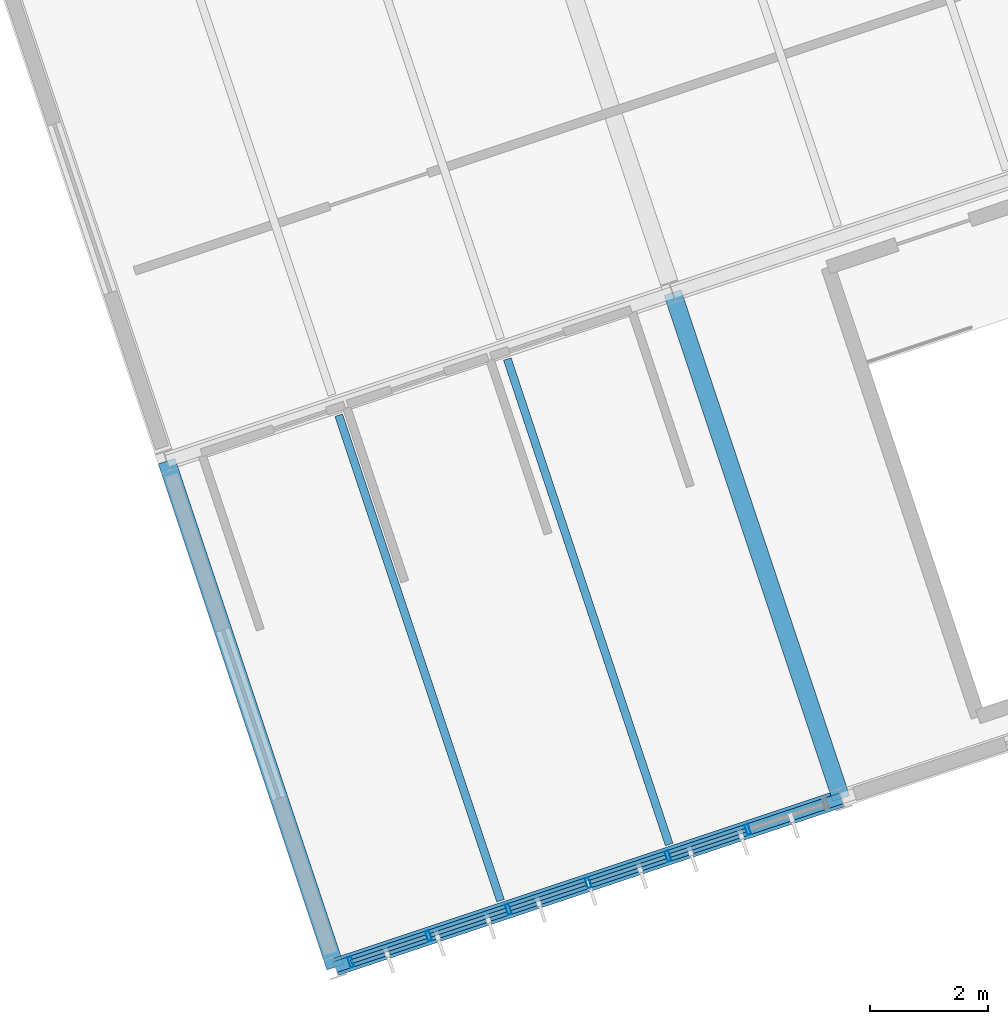
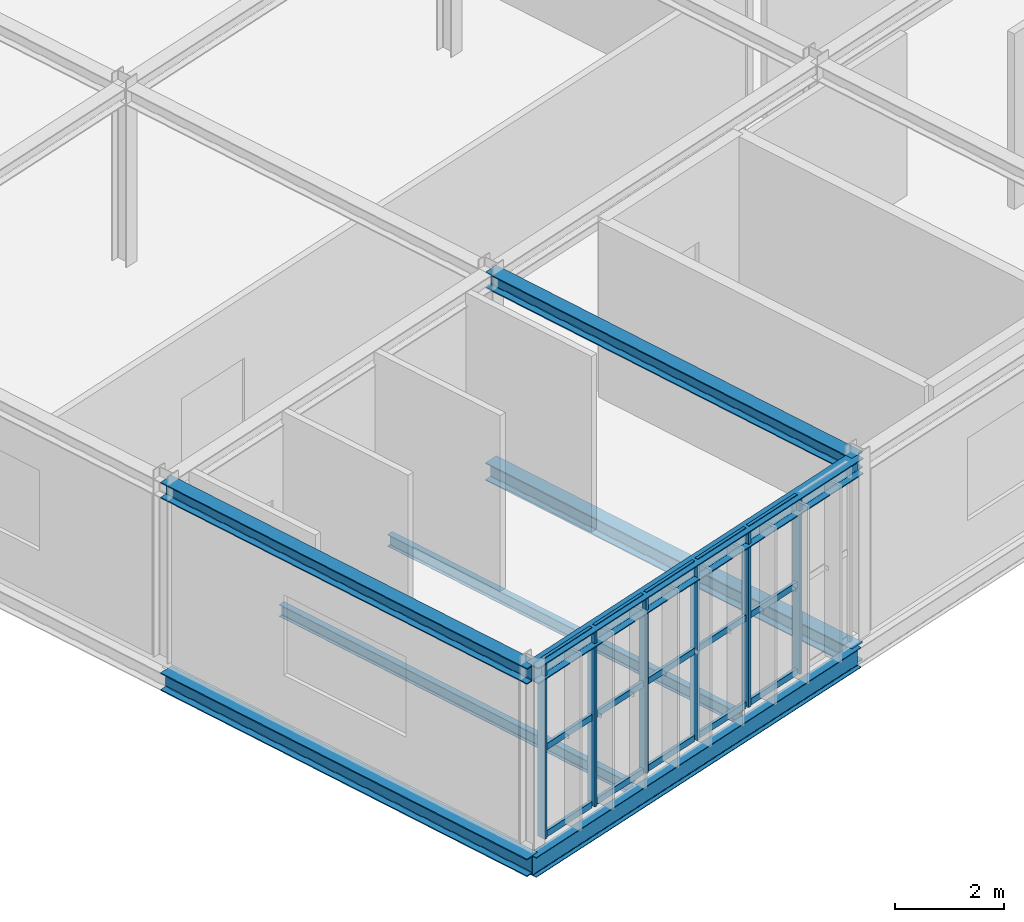
# One storey, part 7 of 61: 21 members, 8 beams, 1 element without a shape of its own.
"""IFC4 building model written with IfcOpenShell, lengths in metres."""

import ifcopenshell
import ifcopenshell.guid

model = None  # the IFC model being written
_history = None  # IfcOwnerHistory: only IFC2X3 demands one
_inside = {}  # id of a spatial element -> (the spatial element, [elements in it])
_under = {}  # id of a project, library or spatial element -> (it, [spatial elements below it])
_declared = {}  # id of a project -> (the project, [libraries it declares])
_typed = {}  # id of a type object -> (the type object, [elements of that type])
_made_of = {}  # id of a material, layer set ... -> (it, [elements and type objects made of it])


def new_model(schema):
    """Start an empty IFC model of exactly this schema.

    Asked for "IFC4X3", IfcOpenShell would pick the latest addendum, in which some entities
    have other attributes; the version numbers below select the first issue.
    IFC2X3 requires an IfcOwnerHistory on every rooted entity: one is made here for all.
    """
    global model, _history
    if schema == "IFC4X3":
        model = ifcopenshell.file(schema_version=(4, 3, 0, 0))
    else:
        model = ifcopenshell.file(schema=schema)
    _inside.clear()
    _under.clear()
    _declared.clear()
    _typed.clear()
    _made_of.clear()
    _history = None
    if model.schema == "IFC2X3":
        org = make("IfcOrganization", Name="unknown")
        user = make(
            "IfcPersonAndOrganization",
            ThePerson=make("IfcPerson", FamilyName="unknown"),
            TheOrganization=org,
        )
        app = make(
            "IfcApplication",
            ApplicationDeveloper=org,
            Version="unknown",
            ApplicationFullName="unknown",
            ApplicationIdentifier="unknown",
        )
        _history = make(
            "IfcOwnerHistory",
            OwningUser=user,
            OwningApplication=app,
            ChangeAction="ADDED",
            CreationDate=0,
        )
    return model


def make(cls, **values):
    """One entity of the class cls with the attributes given. An attribute that is None is left unset."""
    return model.create_entity(
        cls, **{name: value for name, value in values.items() if value is not None}
    )


def rooted(cls, **values):
    """An entity with a GlobalId (a new one), such as an element, a storey or a relation."""
    return make(cls, GlobalId=ifcopenshell.guid.new(), OwnerHistory=_history, **values)


def si_unit(unit_type, name, prefix=None):
    """IfcSIUnit, for example si_unit("LENGTHUNIT", "METRE", prefix="MILLI")."""
    return make("IfcSIUnit", UnitType=unit_type, Prefix=prefix, Name=name)


def derived_unit(unit_type, elements):
    """IfcDerivedUnit: a product of units, each with its exponent."""
    return make(
        "IfcDerivedUnit",
        Elements=[
            make("IfcDerivedUnitElement", Unit=unit, Exponent=power)
            for unit, power in elements
        ],
        UnitType=unit_type,
    )


def assignment(units):
    """IfcUnitAssignment: the units of a project."""
    return None if units is None else make("IfcUnitAssignment", Units=units)


def point(xyz):
    """IfcCartesianPoint."""
    return None if xyz is None else make("IfcCartesianPoint", Coordinates=xyz)


def direction(xyz):
    """IfcDirection."""
    return None if xyz is None else make("IfcDirection", DirectionRatios=xyz)


def frame(location, z_axis=None, x_axis=None):
    """IfcAxis2Placement3D, a coordinate frame: its origin and axes. An axis left out is left unset."""
    return make(
        "IfcAxis2Placement3D",
        Location=point(location),
        Axis=direction(z_axis),
        RefDirection=direction(x_axis),
    )


def frame_2d(location, x_axis=None):
    """IfcAxis2Placement2D, a coordinate frame in the plane: its origin and x axis."""
    return make(
        "IfcAxis2Placement2D", Location=point(location), RefDirection=direction(x_axis)
    )


def origin():
    """The frame at (0, 0, 0) with its axes left unset."""
    return frame((0.0, 0.0, 0.0))


def origin_2d():
    """The frame at (0, 0) in the plane with its x axis left unset."""
    return frame_2d((0.0, 0.0))


def place(relative_to, where):
    """IfcLocalPlacement: puts the frame where relative to a parent placement (None: the world)."""
    return make(
        "IfcLocalPlacement", PlacementRelTo=relative_to, RelativePlacement=where
    )


def context(
    kind, dimensions, precision=None, world=None, true_north=None, identifier=None
):
    """IfcGeometricRepresentationContext, for example the 3D "Model" context."""
    return make(
        "IfcGeometricRepresentationContext",
        ContextIdentifier=identifier,
        ContextType=kind,
        CoordinateSpaceDimension=dimensions,
        Precision=precision,
        WorldCoordinateSystem=world,
        TrueNorth=true_north,
    )


def subcontext(parent, identifier, kind, view, scale=None):
    """IfcGeometricRepresentationSubContext, for example "Body" below "Model"."""
    return make(
        "IfcGeometricRepresentationSubContext",
        ContextIdentifier=identifier,
        ContextType=kind,
        ParentContext=parent,
        TargetScale=scale,
        TargetView=view,
    )


def project(units=None, contexts=None):
    """IfcProject with its units and contexts."""
    return rooted(
        "IfcProject",
        Name="project",
        RepresentationContexts=contexts,
        UnitsInContext=assignment(units),
    )


def spatial(cls, under=None, at=None, **own):
    """A site, building, storey or space (cls), placed at a placement, below another one or the project."""
    s = rooted(cls, ObjectPlacement=at, **own)
    if under is not None:
        _under.setdefault(under.id(), (under, []))[1].append(s)
    return s


def profile(cls, at=None, kind="AREA", **sizes):
    """A parametric profile (cls). Its sizes go by their IFC names, for example OverallWidth=200.0."""
    return make(cls, ProfileType=kind, Position=at, **sizes)


def hollow_rectangle(**sizes):
    """IfcRectangleHollowProfileDef."""
    return profile("IfcRectangleHollowProfileDef", **sizes)


def i_section(**sizes):
    """IfcIShapeProfileDef."""
    return profile("IfcIShapeProfileDef", **sizes)


def extrude(swept, where, along, depth):
    """IfcExtrudedAreaSolid: the profile swept, set in the frame where, extruded along a direction by depth."""
    return make(
        "IfcExtrudedAreaSolid",
        SweptArea=swept,
        Position=where,
        ExtrudedDirection=direction(along),
        Depth=depth,
    )


def shape(context_of_items, identifier, shape_type, items):
    """IfcShapeRepresentation: the items that make up one representation, for example the "Body"."""
    return make(
        "IfcShapeRepresentation",
        ContextOfItems=context_of_items,
        RepresentationIdentifier=identifier,
        RepresentationType=shape_type,
        Items=items,
    )


def material(Name=None, Category=None):
    """IfcMaterial."""
    return make("IfcMaterial", Name=Name, Category=Category)


def material_profile(
    of_material, cross_section, Name=None, Category=None, Priority=None
):
    """IfcMaterialProfile: a cross section and its material."""
    return make(
        "IfcMaterialProfile",
        Name=Name,
        Material=of_material,
        Profile=cross_section,
        Priority=Priority,
        Category=Category,
    )


def profile_set(profiles, Name=None, composite=None):
    """IfcMaterialProfileSet."""
    return make(
        "IfcMaterialProfileSet",
        Name=Name,
        MaterialProfiles=profiles,
        CompositeProfile=composite,
    )


def made_of(thing, what):
    """Note that an element or type object is made of a material, layer set ...; save() writes the relation."""
    if what is not None:
        _made_of.setdefault(what.id(), (what, []))[1].append(thing)
    return thing


def type_object(cls, material=None, **own):
    """A type object (cls), such as IfcWallType, which elements share."""
    return made_of(rooted(cls, **own), material)


def element(
    cls,
    number,
    at=None,
    inside=None,
    cuts=None,
    type_object=None,
    material=None,
    context=None,
    identifier="Body",
    shape_type=None,
    held_by="IfcProductDefinitionShape",
    body=None,
    shapes=None,
    **own,
):
    """One element of the class cls, such as IfcWall. Its Tag is "e" and its number.

    at: its placement. inside: the storey or other place that contains it. cuts: it is an
    opening in that element (IfcRelVoidsElement). A single representation is given by context,
    identifier, shape_type and body (its items); several are given by shapes. held_by: the class
    of the entity that holds the representations. save() writes the other relations.
    """
    e = rooted(cls, Tag="e%d" % number, ObjectPlacement=at, **own)
    if body is not None:
        shapes = [shape(context, identifier, shape_type, body)]
    if shapes is not None:
        e.Representation = make(held_by, Representations=shapes)
    if inside is not None:
        _inside.setdefault(inside.id(), (inside, []))[1].append(e)
    if cuts is not None:
        rooted(
            "IfcRelVoidsElement", RelatingBuildingElement=cuts, RelatedOpeningElement=e
        )
    if type_object is not None:
        _typed.setdefault(type_object.id(), (type_object, []))[1].append(e)
    return made_of(e, material)


def aggregate(whole, parts):
    """IfcRelAggregates: a whole, such as a stair, and the parts it consists of."""
    return rooted("IfcRelAggregates", RelatingObject=whole, RelatedObjects=parts)


def save(model, path):
    """Write the relations noted so far, then the file.

    IfcRelAggregates (storeys below a building ...), IfcRelContainedInSpatialStructure (elements
    in a storey), IfcRelDefinesByType, IfcRelAssociatesMaterial and IfcRelDeclares: one each for
    every whole, place, type object, material and project.
    """
    for whole, parts in _under.values():
        aggregate(whole, parts)
    for where, things in _inside.values():
        rooted(
            "IfcRelContainedInSpatialStructure",
            RelatedElements=things,
            RelatingStructure=where,
        )
    for kind, things in _typed.values():
        rooted("IfcRelDefinesByType", RelatedObjects=things, RelatingType=kind)
    for what, things in _made_of.values():
        rooted("IfcRelAssociatesMaterial", RelatedObjects=things, RelatingMaterial=what)
    for by, libraries in _declared.values():
        rooted("IfcRelDeclares", RelatingContext=by, RelatedDefinitions=libraries)
    model.write(path)


model = new_model("IFC4")

# Units and contexts
model_context = context("Model", 3, precision=1e-05, world=origin(), true_north=direction((0.0, 1.0)))
body_context = subcontext(model_context, "Body", "Model", "MODEL_VIEW")
ifc_project = project(units=[si_unit("LENGTHUNIT", "METRE"), si_unit("AREAUNIT", "SQUARE_METRE"), si_unit("VOLUMEUNIT", "CUBIC_METRE"), si_unit("PLANEANGLEUNIT", "RADIAN"), si_unit("MASSUNIT", "GRAM", prefix="KILO"), si_unit("THERMODYNAMICTEMPERATUREUNIT", "KELVIN"), si_unit("TIMEUNIT", "SECOND"), derived_unit("THERMALTRANSMITTANCEUNIT", [(si_unit("MASSUNIT", "GRAM", prefix="KILO"), 1), (si_unit("THERMODYNAMICTEMPERATUREUNIT", "KELVIN"), -1), (si_unit("TIMEUNIT", "SECOND"), -3)])], contexts=[model_context])

# Site, building, storey
site_placement = place(None, origin())
site = spatial("IfcSite", under=ifc_project, at=site_placement, CompositionType="ELEMENT")
building_placement = place(site_placement, origin())
building = spatial("IfcBuilding", under=site, at=building_placement, Name="Cambertide Market Hall", CompositionType="ELEMENT")
storey_placement = place(building_placement, frame((0.0, 0.0, 9.89990234375)))
storey = spatial("IfcBuildingStorey", under=building, at=storey_placement, Name="L03", CompositionType="ELEMENT", Elevation=9.89990234375)

# Curtain wall, members
ifc_material_1 = material(Name="Marine Anodized Aluminium 6063-T6 AA25", Category="aluminium")
curtain_wall_type = type_object("IfcCurtainWallType", Name="Tasting Hall Panorama Curtain Wall", PredefinedType="USERDEFINED", material=ifc_material_1)
curtain_wall_placement = place(storey_placement, origin())
curtain_wall = element("IfcCurtainWall", 1, at=curtain_wall_placement, inside=storey, type_object=curtain_wall_type, Name="Level 3 Curtain Wall CW-V3S-L03-1", ObjectType="UNITIZED CURTAIN WALL", PredefinedType="USERDEFINED")
ifc_material_2 = material(Name="Champagne Marine Anodized Aluminium 6063-T6 AA25", Category="aluminium")
ifc_material_profile_1 = material_profile(ifc_material_2, hollow_rectangle(XDim=0.06494140625, YDim=0.179931640625, WallThickness=0.00390625, at=origin_2d()), Name="ALU MULLION 65x180")
ifc_profile_set_1 = profile_set([ifc_material_profile_1], Name="Champagne Marine Anodized Aluminium 6063-T6 AA25")
member_type_1 = type_object("IfcMemberType", Name="Curtain Wall Mullion ALU MULLION 65x180", PredefinedType="MULLION", material=ifc_profile_set_1)
member_1_placement = place(storey_placement, frame((112.96337890625, 14.321044921875, 0.0), z_axis=(0.0, 0.0, 1.0), x_axis=(-0.948683321523, -0.316227695598, 0.0)))
member_1 = element("IfcMember", 2, at=member_1_placement, type_object=member_type_1, Name="CW-V3S-L03-1 Mullion 2", PredefinedType="MULLION", context=body_context, shape_type="SweptSolid", body=[
    extrude(hollow_rectangle(XDim=0.06494140625, YDim=0.179931640625, WallThickness=0.00390625, at=origin_2d()), origin(), (0.0, 0.0, 1.0), 3.97998046875),
])
member_2_placement = place(storey_placement, frame((111.6162109375, 13.8720703125, 0.0), z_axis=(0.0, 0.0, 1.0), x_axis=(-0.948683321523, -0.316227695598, 0.0)))
member_2 = element("IfcMember", 3, at=member_2_placement, type_object=member_type_1, Name="CW-V3S-L03-1 Mullion 3", PredefinedType="MULLION", context=body_context, shape_type="SweptSolid", body=[
    extrude(hollow_rectangle(XDim=0.06494140625, YDim=0.179931640625, WallThickness=0.00390625, at=origin_2d()), origin(), (0.0, 0.0, 1.0), 3.97998046875),
])
member_3_placement = place(storey_placement, frame((110.26904296875, 13.423095703125, 0.0), z_axis=(0.0, 0.0, 1.0), x_axis=(-0.948683321523, -0.316227695598, 0.0)))
member_3 = element("IfcMember", 4, at=member_3_placement, type_object=member_type_1, Name="CW-V3S-L03-1 Mullion 4", PredefinedType="MULLION", context=body_context, shape_type="SweptSolid", body=[
    extrude(hollow_rectangle(XDim=0.06494140625, YDim=0.179931640625, WallThickness=0.00390625, at=origin_2d()), origin(), (0.0, 0.0, 1.0), 3.97998046875),
])
member_4_placement = place(storey_placement, frame((108.921875, 12.973876953125, 0.0), z_axis=(0.0, 0.0, 1.0), x_axis=(-0.948683321523, -0.316227695598, 0.0)))
member_4 = element("IfcMember", 5, at=member_4_placement, type_object=member_type_1, Name="CW-V3S-L03-1 Mullion 5", PredefinedType="MULLION", context=body_context, shape_type="SweptSolid", body=[
    extrude(hollow_rectangle(XDim=0.06494140625, YDim=0.179931640625, WallThickness=0.00390625, at=origin_2d()), origin(), (0.0, 0.0, 1.0), 3.97998046875),
])
member_5_placement = place(storey_placement, frame((107.57470703125, 12.52490234375, 0.0), z_axis=(0.0, 0.0, 1.0), x_axis=(-0.948683321523, -0.316227695598, 0.0)))
member_5 = element("IfcMember", 6, at=member_5_placement, type_object=member_type_1, Name="CW-V3S-L03-1 Mullion 6", PredefinedType="MULLION", context=body_context, shape_type="SweptSolid", body=[
    extrude(hollow_rectangle(XDim=0.06494140625, YDim=0.179931640625, WallThickness=0.00390625, at=origin_2d()), origin(), (0.0, 0.0, 1.0), 3.97998046875),
])
member_6_placement = place(storey_placement, frame((106.260986328125, 12.0869140625, 0.0), z_axis=(0.0, 0.0, 1.0), x_axis=(-0.948683321523, -0.316227695598, 0.0)))
member_6 = element("IfcMember", 7, at=member_6_placement, type_object=member_type_1, Name="CW-V3S-L03-1 Mullion 7", PredefinedType="MULLION", context=body_context, shape_type="SweptSolid", body=[
    extrude(hollow_rectangle(XDim=0.06494140625, YDim=0.179931640625, WallThickness=0.00390625, at=origin_2d()), origin(), (0.0, 0.0, 1.0), 3.97998046875),
])
ifc_material_3 = material(Name="Champagne Marine Anodized Aluminium 6063-T6 AA25", Category="aluminium")
ifc_material_profile_2 = material_profile(ifc_material_3, hollow_rectangle(XDim=0.06494140625, YDim=0.139892578125, WallThickness=0.00341796875, at=origin_2d()), Name="ALU TRANSOM 65x140")
ifc_profile_set_2 = profile_set([ifc_material_profile_2], Name="Champagne Marine Anodized Aluminium 6063-T6 AA25")
member_type_2 = type_object("IfcMemberType", Name="Curtain Wall Transom ALU TRANSOM 65x140", PredefinedType="USERDEFINED", material=ifc_profile_set_2)
member_7_placement = place(storey_placement, frame((112.92529296875, 14.308349609375, 0.03515625), z_axis=(-0.948719731918, -0.316118443418, 0.0), x_axis=(0.316118443418, -0.948719731918, 0.0)))
member_7 = element("IfcMember", 8, at=member_7_placement, type_object=member_type_2, Name="CW-V3S-L03-1 Transom 1-2", ObjectType="TRANSOM", PredefinedType="USERDEFINED", context=body_context, shape_type="SweptSolid", body=[
    extrude(hollow_rectangle(XDim=0.06494140625, YDim=0.139892578125, WallThickness=0.00341796875, at=origin_2d()), origin(), (0.0, 0.0, 1.0), 1.33984375),
])
member_8_placement = place(storey_placement, frame((111.578369140625, 13.859375, 0.03515625), z_axis=(-0.948719731918, -0.316118443418, 0.0), x_axis=(0.316118443418, -0.948719731918, 0.0)))
member_8 = element("IfcMember", 9, at=member_8_placement, type_object=member_type_2, Name="CW-V3S-L03-1 Transom 1-3", ObjectType="TRANSOM", PredefinedType="USERDEFINED", context=body_context, shape_type="SweptSolid", body=[
    extrude(hollow_rectangle(XDim=0.06494140625, YDim=0.139892578125, WallThickness=0.00341796875, at=origin_2d()), origin(), (0.0, 0.0, 1.0), 1.33984375),
])
member_9_placement = place(storey_placement, frame((110.231201171875, 13.410400390625, 0.03515625), z_axis=(-0.948665077442, -0.316282422593, 0.0), x_axis=(0.316282422593, -0.948665077442, 0.0)))
member_9 = element("IfcMember", 10, at=member_9_placement, type_object=member_type_2, Name="CW-V3S-L03-1 Transom 1-4", ObjectType="TRANSOM", PredefinedType="USERDEFINED", context=body_context, shape_type="SweptSolid", body=[
    extrude(hollow_rectangle(XDim=0.06494140625, YDim=0.139892578125, WallThickness=0.00341796875, at=origin_2d()), origin(), (0.0, 0.0, 1.0), 1.340087890625),
])
member_10_placement = place(storey_placement, frame((108.884033203125, 12.96142578125, 0.03515625), z_axis=(-0.948665077442, -0.316282422593, 0.0), x_axis=(0.316282422593, -0.948665077442, 0.0)))
member_10 = element("IfcMember", 11, at=member_10_placement, type_object=member_type_2, Name="CW-V3S-L03-1 Transom 1-5", ObjectType="TRANSOM", PredefinedType="USERDEFINED", context=body_context, shape_type="SweptSolid", body=[
    extrude(hollow_rectangle(XDim=0.06494140625, YDim=0.139892578125, WallThickness=0.00341796875, at=origin_2d()), origin(), (0.0, 0.0, 1.0), 1.340087890625),
])
member_11_placement = place(storey_placement, frame((107.536865234375, 12.51220703125, 0.03515625), z_axis=(-0.948719731918, -0.316118443418, 0.0), x_axis=(0.316118443418, -0.948719731918, 0.0)))
member_11 = element("IfcMember", 12, at=member_11_placement, type_object=member_type_2, Name="CW-V3S-L03-1 Transom 1-6", ObjectType="TRANSOM", PredefinedType="USERDEFINED", context=body_context, shape_type="SweptSolid", body=[
    extrude(hollow_rectangle(XDim=0.06494140625, YDim=0.139892578125, WallThickness=0.00341796875, at=origin_2d()), origin(), (0.0, 0.0, 1.0), 1.33984375),
])
member_12_placement = place(storey_placement, frame((112.92529296875, 14.308349609375, 1.989990234375), z_axis=(-0.948719731918, -0.316118443418, 0.0), x_axis=(0.316118443418, -0.948719731918, 0.0)))
member_12 = element("IfcMember", 13, at=member_12_placement, type_object=member_type_2, Name="CW-V3S-L03-1 Transom 2-2", ObjectType="TRANSOM", PredefinedType="USERDEFINED", context=body_context, shape_type="SweptSolid", body=[
    extrude(hollow_rectangle(XDim=0.06494140625, YDim=0.139892578125, WallThickness=0.00341796875, at=origin_2d()), origin(), (0.0, 0.0, 1.0), 1.33984375),
])
member_13_placement = place(storey_placement, frame((111.578369140625, 13.859375, 1.989990234375), z_axis=(-0.948719731918, -0.316118443418, 0.0), x_axis=(0.316118443418, -0.948719731918, 0.0)))
member_13 = element("IfcMember", 14, at=member_13_placement, type_object=member_type_2, Name="CW-V3S-L03-1 Transom 2-3", ObjectType="TRANSOM", PredefinedType="USERDEFINED", context=body_context, shape_type="SweptSolid", body=[
    extrude(hollow_rectangle(XDim=0.06494140625, YDim=0.139892578125, WallThickness=0.00341796875, at=origin_2d()), origin(), (0.0, 0.0, 1.0), 1.33984375),
])
member_14_placement = place(storey_placement, frame((110.231201171875, 13.410400390625, 1.989990234375), z_axis=(-0.948665077442, -0.316282422593, 0.0), x_axis=(0.316282422593, -0.948665077442, 0.0)))
member_14 = element("IfcMember", 15, at=member_14_placement, type_object=member_type_2, Name="CW-V3S-L03-1 Transom 2-4", ObjectType="TRANSOM", PredefinedType="USERDEFINED", context=body_context, shape_type="SweptSolid", body=[
    extrude(hollow_rectangle(XDim=0.06494140625, YDim=0.139892578125, WallThickness=0.00341796875, at=origin_2d()), origin(), (0.0, 0.0, 1.0), 1.340087890625),
])
member_15_placement = place(storey_placement, frame((108.884033203125, 12.96142578125, 1.989990234375), z_axis=(-0.948665077442, -0.316282422593, 0.0), x_axis=(0.316282422593, -0.948665077442, 0.0)))
member_15 = element("IfcMember", 16, at=member_15_placement, type_object=member_type_2, Name="CW-V3S-L03-1 Transom 2-5", ObjectType="TRANSOM", PredefinedType="USERDEFINED", context=body_context, shape_type="SweptSolid", body=[
    extrude(hollow_rectangle(XDim=0.06494140625, YDim=0.139892578125, WallThickness=0.00341796875, at=origin_2d()), origin(), (0.0, 0.0, 1.0), 1.340087890625),
])
member_16_placement = place(storey_placement, frame((107.536865234375, 12.51220703125, 1.989990234375), z_axis=(-0.948719731918, -0.316118443418, 0.0), x_axis=(0.316118443418, -0.948719731918, 0.0)))
member_16 = element("IfcMember", 17, at=member_16_placement, type_object=member_type_2, Name="CW-V3S-L03-1 Transom 2-6", ObjectType="TRANSOM", PredefinedType="USERDEFINED", context=body_context, shape_type="SweptSolid", body=[
    extrude(hollow_rectangle(XDim=0.06494140625, YDim=0.139892578125, WallThickness=0.00341796875, at=origin_2d()), origin(), (0.0, 0.0, 1.0), 1.33984375),
])
member_17_placement = place(storey_placement, frame((112.92529296875, 14.308349609375, 3.945068359375), z_axis=(-0.948719731918, -0.316118443418, 0.0), x_axis=(0.316118443418, -0.948719731918, 0.0)))
member_17 = element("IfcMember", 18, at=member_17_placement, type_object=member_type_2, Name="CW-V3S-L03-1 Transom 3-2", ObjectType="TRANSOM", PredefinedType="USERDEFINED", context=body_context, shape_type="SweptSolid", body=[
    extrude(hollow_rectangle(XDim=0.06494140625, YDim=0.139892578125, WallThickness=0.00341796875, at=origin_2d()), origin(), (0.0, 0.0, 1.0), 1.33984375),
])
member_18_placement = place(storey_placement, frame((111.578369140625, 13.859375, 3.945068359375), z_axis=(-0.948719731918, -0.316118443418, 0.0), x_axis=(0.316118443418, -0.948719731918, 0.0)))
member_18 = element("IfcMember", 19, at=member_18_placement, type_object=member_type_2, Name="CW-V3S-L03-1 Transom 3-3", ObjectType="TRANSOM", PredefinedType="USERDEFINED", context=body_context, shape_type="SweptSolid", body=[
    extrude(hollow_rectangle(XDim=0.06494140625, YDim=0.139892578125, WallThickness=0.00341796875, at=origin_2d()), origin(), (0.0, 0.0, 1.0), 1.33984375),
])
member_19_placement = place(storey_placement, frame((110.231201171875, 13.410400390625, 3.945068359375), z_axis=(-0.948665077442, -0.316282422593, 0.0), x_axis=(0.316282422593, -0.948665077442, 0.0)))
member_19 = element("IfcMember", 20, at=member_19_placement, type_object=member_type_2, Name="CW-V3S-L03-1 Transom 3-4", ObjectType="TRANSOM", PredefinedType="USERDEFINED", context=body_context, shape_type="SweptSolid", body=[
    extrude(hollow_rectangle(XDim=0.06494140625, YDim=0.139892578125, WallThickness=0.00341796875, at=origin_2d()), origin(), (0.0, 0.0, 1.0), 1.340087890625),
])
member_20_placement = place(storey_placement, frame((108.884033203125, 12.96142578125, 3.945068359375), z_axis=(-0.948665077442, -0.316282422593, 0.0), x_axis=(0.316282422593, -0.948665077442, 0.0)))
member_20 = element("IfcMember", 21, at=member_20_placement, type_object=member_type_2, Name="CW-V3S-L03-1 Transom 3-5", ObjectType="TRANSOM", PredefinedType="USERDEFINED", context=body_context, shape_type="SweptSolid", body=[
    extrude(hollow_rectangle(XDim=0.06494140625, YDim=0.139892578125, WallThickness=0.00341796875, at=origin_2d()), origin(), (0.0, 0.0, 1.0), 1.340087890625),
])
member_21_placement = place(storey_placement, frame((107.536865234375, 12.51220703125, 3.945068359375), z_axis=(-0.948719731918, -0.316118443418, 0.0), x_axis=(0.316118443418, -0.948719731918, 0.0)))
member_21 = element("IfcMember", 22, at=member_21_placement, type_object=member_type_2, Name="CW-V3S-L03-1 Transom 3-6", ObjectType="TRANSOM", PredefinedType="USERDEFINED", context=body_context, shape_type="SweptSolid", body=[
    extrude(hollow_rectangle(XDim=0.06494140625, YDim=0.139892578125, WallThickness=0.00341796875, at=origin_2d()), origin(), (0.0, 0.0, 1.0), 1.33984375),
])
aggregate(curtain_wall, [member_1, member_2, member_3, member_4, member_5, member_6, member_7, member_8, member_9, member_10, member_11, member_12, member_13, member_14, member_15, member_16, member_17, member_18, member_19, member_20, member_21])

# Beams
ifc_material_4 = material(Name="Steel S355", Category="steel")
ifc_material_profile_3 = material_profile(ifc_material_4, i_section(OverallWidth=0.300048828125, OverallDepth=0.360107421875, WebThickness=0.012451171875, FlangeThickness=0.0224609375, FilletRadius=0.027099609375, at=origin_2d()), Name="HEB 360")
ifc_profile_set_3 = profile_set([ifc_material_profile_3], Name="Steel S355")
beam_type_1 = type_object("IfcBeamType", Name="Exterior Steel Girder HEB 360", PredefinedType="BEAM", material=ifc_profile_set_3)
for number, where, z_axis, x_axis, name in (
    (23, (106.0, 12.0, 3.820068359375), (0.948686010717, 0.3162196279, 0.0), (-0.3162196279, 0.948686010717, 0.0), "Level 3 Beam BM-V3U-RF-1-1"),
    (24, (106.0, 12.0, 3.820068359375), (-0.3162196279, 0.948686010717, 0.0), (-0.948686010717, -0.3162196279, 0.0), "Level 3 Beam BM-V3V-RF-1-1"),
):
    element("IfcBeam", number, at=place(storey_placement, frame(where, z_axis=z_axis, x_axis=x_axis)), inside=storey, type_object=beam_type_1, Name=name, PredefinedType="BEAM", context=body_context, shape_type="SweptSolid", body=[
        extrude(i_section(OverallWidth=0.300048828125, OverallDepth=0.360107421875, WebThickness=0.012451171875, FlangeThickness=0.0224609375, FilletRadius=0.027099609375, at=origin_2d()), origin(), (0.0, 0.0, 1.0), 9.0),
    ])
beam_1_placement = place(storey_placement, frame((114.5380859375, 14.845947265625, 3.820068359375), z_axis=(-0.316211490179, 0.948688723175, 0.0), x_axis=(-0.948688723175, -0.316211490179, 0.0)))
element("IfcBeam", 25, at=beam_1_placement, inside=storey, type_object=beam_type_1, Name="Level 3 Beam BM-V3V-RF-2-1", PredefinedType="BEAM", context=body_context, shape_type="SweptSolid", body=[
    extrude(i_section(OverallWidth=0.300048828125, OverallDepth=0.360107421875, WebThickness=0.012451171875, FlangeThickness=0.0224609375, FilletRadius=0.027099609375, at=origin_2d()), origin(), (0.0, 0.0, 1.0), 9.000244140625),
])
ifc_material_5 = material(Name="Steel S355", Category="steel")
ifc_material_profile_4 = material_profile(ifc_material_5, i_section(OverallWidth=0.18994140625, OverallDepth=0.449951171875, WebThickness=0.009521484375, FlangeThickness=0.0146484375, FilletRadius=0.02099609375, at=origin_2d()), Name="IPE 450")
ifc_profile_set_4 = profile_set([ifc_material_profile_4], Name="Steel S355")
beam_type_2 = type_object("IfcBeamType", Name="Perimeter Spandrel Beam IPE 450", PredefinedType="SPANDREL", material=ifc_profile_set_4)
beam_2_placement = place(storey_placement, frame((106.0, 12.0, -0.5), z_axis=(0.948686010717, 0.3162196279, 0.0), x_axis=(-0.3162196279, 0.948686010717, 0.0)))
element("IfcBeam", 26, at=beam_2_placement, inside=storey, type_object=beam_type_2, Name="Level 3 Spandrel BM-V3U-L03-1-1", PredefinedType="SPANDREL", context=body_context, shape_type="SweptSolid", body=[
    extrude(i_section(OverallWidth=0.18994140625, OverallDepth=0.449951171875, WebThickness=0.009521484375, FlangeThickness=0.0146484375, FilletRadius=0.02099609375, at=origin_2d()), origin(), (0.0, 0.0, 1.0), 9.0),
])
ifc_material_6 = material(Name="Steel S355", Category="steel")
ifc_material_profile_5 = material_profile(ifc_material_6, i_section(OverallWidth=0.300048828125, OverallDepth=0.39990234375, WebThickness=0.013427734375, FlangeThickness=0.02392578125, FilletRadius=0.027099609375, at=origin_2d()), Name="HEB 400")
ifc_profile_set_5 = profile_set([ifc_material_profile_5], Name="Steel S355")
beam_type_3 = type_object("IfcBeamType", Name="Steel Girder HEB 400", PredefinedType="BEAM", material=ifc_profile_set_5)
beam_3_placement = place(storey_placement, frame((106.0, 12.0, -0.474853515625), z_axis=(-0.3162196279, 0.948686010717, 0.0), x_axis=(-0.948686010717, -0.3162196279, 0.0)))
element("IfcBeam", 27, at=beam_3_placement, inside=storey, type_object=beam_type_3, Name="Level 3 Beam BM-V3V-L03-1-1", PredefinedType="BEAM", context=body_context, shape_type="SweptSolid", body=[
    extrude(i_section(OverallWidth=0.300048828125, OverallDepth=0.39990234375, WebThickness=0.013427734375, FlangeThickness=0.02392578125, FilletRadius=0.027099609375, at=origin_2d()), origin(), (0.0, 0.0, 1.0), 9.0),
])
beam_4_placement = place(storey_placement, frame((114.5380859375, 14.845947265625, -0.474853515625), z_axis=(-0.316211490179, 0.948688723175, 0.0), x_axis=(-0.948688723175, -0.316211490179, 0.0)))
element("IfcBeam", 28, at=beam_4_placement, inside=storey, type_object=beam_type_3, Name="Level 3 Beam BM-V3V-L03-2-1", PredefinedType="BEAM", context=body_context, shape_type="SweptSolid", body=[
    extrude(i_section(OverallWidth=0.300048828125, OverallDepth=0.39990234375, WebThickness=0.013427734375, FlangeThickness=0.02392578125, FilletRadius=0.027099609375, at=origin_2d()), origin(), (0.0, 0.0, 1.0), 9.000244140625),
])
ifc_material_7 = material(Name="Steel S275", Category="steel")
ifc_material_profile_6 = material_profile(ifc_material_7, i_section(OverallWidth=0.135009765625, OverallDepth=0.27001953125, WebThickness=0.006591796875, FlangeThickness=0.01025390625, FilletRadius=0.014892578125, at=origin_2d()), Name="IPE 270")
ifc_profile_set_6 = profile_set([ifc_material_profile_6], Name="Steel S275")
beam_type_4 = type_object("IfcBeamType", Name="Steel Secondary Joist IPE 270", PredefinedType="JOIST", material=ifc_profile_set_6)
beam_5_placement = place(storey_placement, frame((108.7890625, 13.119384765625, -0.409912109375), z_axis=(-0.316219289033, 0.94868612367, 0.0), x_axis=(-0.94868612367, -0.316219289033, 0.0)))
element("IfcBeam", 29, at=beam_5_placement, inside=storey, type_object=beam_type_4, Name="Level 3 Joist JS-V3-L03-1-1-1", PredefinedType="JOIST", context=body_context, shape_type="SweptSolid", body=[
    extrude(i_section(OverallWidth=0.135009765625, OverallDepth=0.27001953125, WebThickness=0.006591796875, FlangeThickness=0.01025390625, FilletRadius=0.014892578125, at=origin_2d()), origin(), (0.0, 0.0, 1.0), 8.64013671875),
])
beam_6_placement = place(storey_placement, frame((111.63525390625, 14.068115234375, -0.409912109375), z_axis=(-0.316227766017, 0.948683298051, 0.0), x_axis=(-0.948683298051, -0.316227766017, 0.0)))
element("IfcBeam", 30, at=beam_6_placement, inside=storey, type_object=beam_type_4, Name="Level 3 Joist JS-V3-L03-1-1-2", PredefinedType="JOIST", context=body_context, shape_type="SweptSolid", body=[
    extrude(i_section(OverallWidth=0.135009765625, OverallDepth=0.27001953125, WebThickness=0.006591796875, FlangeThickness=0.01025390625, FilletRadius=0.014892578125, at=origin_2d()), origin(), (0.0, 0.0, 1.0), 8.639892578125),
])

save(model, "model.ifc")
